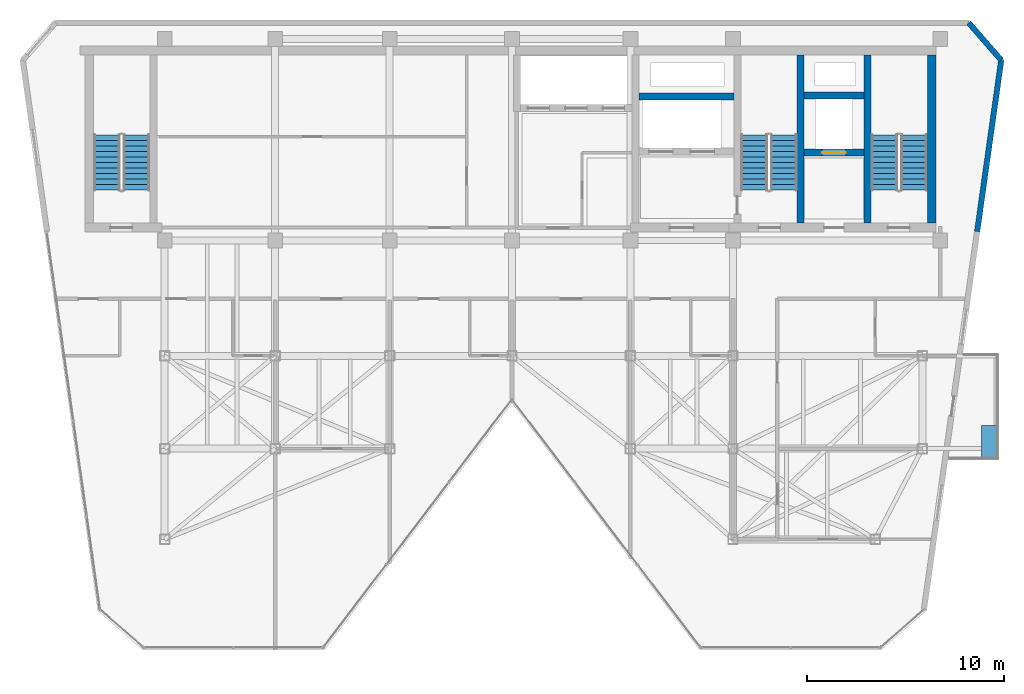
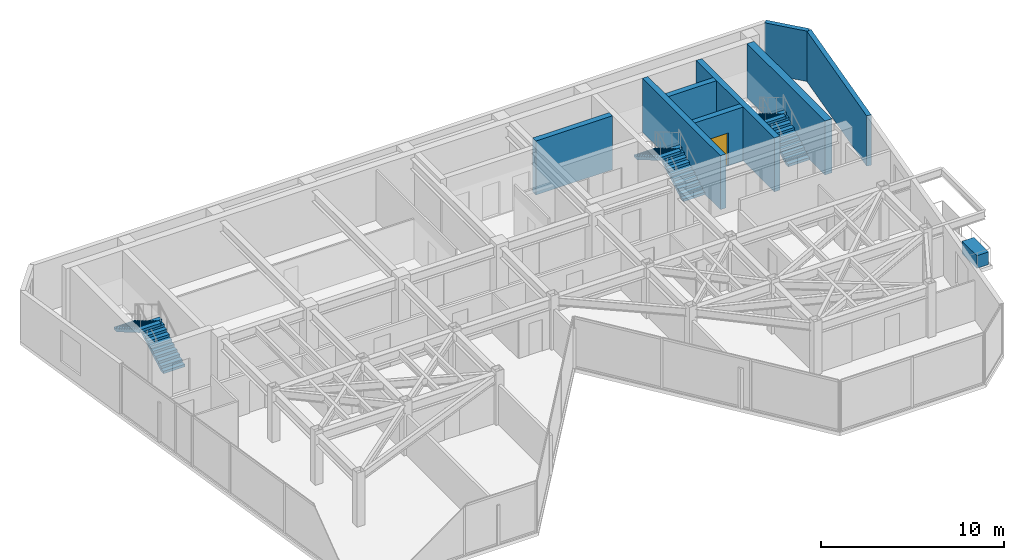
# One storey, part 18 of 20: 8 walls, 6 stair flights, 1 discrete accessory, 1 door, 1 opening, 3 elements without a shape of their own.
"""IFC4 building model written with IfcOpenShell, lengths in metres."""

from ifc_helpers import new_model, si_unit, direction, frame, frame_2d, origin, origin_2d, place, context, subcontext, project, spatial, polyline, rectangle, outline, extrude, material, layer, layer_set, type_object, element, fill, aggregate, save


model = new_model("IFC4")

# Units and contexts
model_context = context("Model", 3, precision=1e-05, world=origin(), true_north=direction((0.0, 1.0)))
body_context = subcontext(model_context, "Body", "Model", "MODEL_VIEW")
ifc_project = project(units=[si_unit("LENGTHUNIT", "METRE"), si_unit("AREAUNIT", "SQUARE_METRE"), si_unit("VOLUMEUNIT", "CUBIC_METRE"), si_unit("PLANEANGLEUNIT", "RADIAN"), si_unit("MASSUNIT", "GRAM", prefix="KILO")], contexts=[model_context])

# Site, building, storey
site_placement = place(None, origin())
site = spatial("IfcSite", under=ifc_project, at=site_placement, CompositionType="ELEMENT")
building_placement = place(site_placement, origin())
building = spatial("IfcBuilding", under=site, at=building_placement, Name="Kravanh Interchange Tower", CompositionType="ELEMENT")
storey_placement = place(building_placement, frame((0.0, 0.0, 234.60009765625)))
storey = spatial("IfcBuildingStorey", under=building, at=storey_placement, Name="L56", CompositionType="ELEMENT", Elevation=234.60009765625)

# Walls
ifc_material_1 = material(Name="Concrete C60/75", Category="concrete")
ifc_layer_1 = layer(ifc_material_1, 0.35009765625)
ifc_layer_set_1 = layer_set([ifc_layer_1], Name="Core Shear Wall Concrete C60/75 350mm")
wall_type_1 = type_object("IfcWallType", Name="Core Shear Wall Concrete C60/75 350mm", PredefinedType="SHEAR", material=ifc_layer_set_1)
for number, where, z_axis, x_axis, name in (
    (1, (62.824951171875, 38.22509765625, 0.0), (0.0, 0.0, 1.0), (0.0, 1.0, 0.0), "L56 Stair ST1 West Shear Wall"),
    (2, (59.425048828125, 38.22509765625, 0.0), (0.0, 0.0, 1.0), (0.0, 1.0, 0.0), "L56 Stair ST2 East Shear Wall"),
):
    element("IfcWall", number, at=place(storey_placement, frame(where, z_axis=z_axis, x_axis=x_axis)), inside=storey, type_object=wall_type_1, Name=name, PredefinedType="SHEAR", context=body_context, shape_type="SweptSolid", body=[
        extrude(rectangle(XDim=8.52490234375, YDim=0.35009765625, at=frame_2d((4.262451171875, 0.0))), origin(), (0.0, 0.0, 1.0), 3.599853515625),
    ])

# Wall, opening, door
wall_1_placement = place(storey_placement, frame((59.60009765625, 41.800048828125, 0.0), z_axis=(0.0, 0.0, 1.0), x_axis=(1.0, 0.0, 0.0)))
wall_1 = element("IfcWall", 3, at=wall_1_placement, inside=storey, type_object=wall_type_1, Name="L56 Service Lift Shaft South Wall", PredefinedType="SHEAR", context=body_context, shape_type="SweptSolid", body=[
    extrude(rectangle(XDim=3.0498046875, YDim=0.35009765625, at=frame_2d((1.52490234375, 0.0))), origin(), (0.0, 0.0, 1.0), 3.599853515625),
])
opening_placement = place(wall_1_placement, frame((0.919921875, 0.0, 0.0)))
opening = element("IfcOpeningElement", 4, at=opening_placement, cuts=wall_1, Name="Opening LD02", PredefinedType="OPENING", context=body_context, shape_type="SweptSolid", body=[
    extrude(rectangle(XDim=1.199951171875, YDim=2.199951171875, at=frame_2d((0.60009765625, 1.10009765625))), frame((0.0, 0.18505859375, 0.0), z_axis=(0.0, -1.0, 0.0), x_axis=(1.0, 0.0, 0.0)), (0.0, 0.0, 1.0), 0.3701171875),
])
ifc_material_2 = material(Name="Stainless Steel 316", Category="steel")
door_type = type_object("IfcDoorType", Name="Fire and Service Lift Sliding Landing Door 1200x2200", OperationType="DOUBLE_DOOR_SLIDING", PredefinedType="DOOR", material=ifc_material_2)
door_placement = place(opening_placement, origin())
door = element("IfcDoor", 5, at=door_placement, inside=storey, type_object=door_type, Name="L56 Lift LS-01 Landing Door", OperationType="DOUBLE_DOOR_SLIDING", OverallHeight=2.199951171875, OverallWidth=1.199951171875, PredefinedType="DOOR", context=body_context, shape_type="SweptSolid", body=[
    extrude(rectangle(XDim=1.199951171875, YDim=2.199951171875, at=frame_2d((0.60009765625, 1.10009765625))), frame((0.0, 0.02490234375, 0.0), z_axis=(0.0, -1.0, 0.0), x_axis=(1.0, 0.0, 0.0)), (0.0, 0.0, 1.0), 0.050048828125),
])
fill(opening, door)

# Walls
wall_2_placement = place(storey_placement, frame((59.60009765625, 44.699951171875, 0.0), z_axis=(0.0, 0.0, 1.0), x_axis=(1.0, 0.0, 0.0)))
element("IfcWall", 6, at=wall_2_placement, inside=storey, type_object=wall_type_1, Name="L56 Service Lift Shaft North Wall", PredefinedType="SHEAR", context=body_context, shape_type="SweptSolid", body=[
    extrude(rectangle(XDim=3.0498046875, YDim=0.35009765625, at=frame_2d((1.52490234375, 0.0))), origin(), (0.0, 0.0, 1.0), 3.599853515625),
])
wall_3_placement = place(storey_placement, frame((51.22509765625, 44.64990234375, 0.0), z_axis=(0.0, 0.0, 1.0), x_axis=(1.0, 0.0, 0.0)))
element("IfcWall", 7, at=wall_3_placement, inside=storey, type_object=wall_type_1, Name="L56 Fire Lift Shaft North Wall", PredefinedType="SHEAR", context=body_context, shape_type="SweptSolid", body=[
    extrude(rectangle(XDim=4.824951171875, YDim=0.35009765625, at=frame_2d((2.41259765625, 0.0))), origin(), (0.0, 0.0, 1.0), 3.599853515625),
])
ifc_material_3 = material(Name="Concrete C60/75", Category="concrete")
ifc_layer_2 = layer(ifc_material_3, 0.449951171875)
ifc_layer_set_2 = layer_set([ifc_layer_2], Name="Core Shear Wall Concrete C60/75 450mm")
wall_type_2 = type_object("IfcWallType", Name="Core Shear Wall Concrete C60/75 450mm", PredefinedType="SHEAR", material=ifc_layer_set_2)
wall_4_placement = place(storey_placement, frame((66.074951171875, 38.22509765625, 0.0), z_axis=(0.0, 0.0, 1.0), x_axis=(0.0, 1.0, 0.0)))
element("IfcWall", 8, at=wall_4_placement, inside=storey, type_object=wall_type_2, Name="L56 Stair ST1 East Shear Wall", PredefinedType="SHEAR", context=body_context, shape_type="SweptSolid", body=[
    extrude(rectangle(XDim=8.52490234375, YDim=0.449951171875, at=frame_2d((4.262451171875, 0.0))), origin(), (0.0, 0.0, 1.0), 3.599853515625),
])
ifc_material_4 = material(Name="Insulated Precast Concrete C40/50 with Bronze Cladding", Category="concrete")
ifc_layer_3 = layer(ifc_material_4, 0.280029296875)
ifc_layer_set_3 = layer_set([ifc_layer_3], Name="Exterior Insulated Concrete C40/50 Bronze Spandrel Wall 280mm")
wall_type_3 = type_object("IfcWallType", Name="Exterior Insulated Concrete C40/50 Bronze Spandrel Wall 280mm", PredefinedType="STANDARD", material=ifc_layer_set_3)
wall_5_placement = place(storey_placement, frame((67.9453125, 48.3798828125, 0.0), z_axis=(0.0, 0.0, 1.0), x_axis=(0.656068147197, -0.75470165379, 0.0)))
element("IfcWall", 9, at=wall_5_placement, inside=storey, type_object=wall_type_3, Name="L56 Exterior Wall 4", PredefinedType="STANDARD", context=body_context, shape_type="SweptSolid", body=[
    extrude(rectangle(XDim=2.514892578125, YDim=0.280029296875, at=frame_2d((1.25732421875, 0.0))), origin(), (0.0, 0.0, 1.0), 3.35986328125),
])
wall_6_placement = place(storey_placement, frame((69.59521484375, 46.48193359375, 0.0), z_axis=(0.0, 0.0, 1.0), x_axis=(-0.139179310088, -0.990267196086, 0.0)))
element("IfcWall", 10, at=wall_6_placement, inside=storey, type_object=wall_type_3, Name="L56 Exterior Wall 5", PredefinedType="STANDARD", context=body_context, shape_type="SweptSolid", body=[
    extrude(rectangle(XDim=8.767333984375, YDim=0.280029296875, at=frame_2d((4.3837890625, 0.0))), origin(), (0.0, 0.0, 1.0), 3.35986328125),
])

# Stair, stair flights
ifc_material_5 = material(Name="Concrete C50/60", Category="concrete")
stair_type = type_object("IfcStairType", Name="Core Fire Exit Dogleg Stair Concrete C50/60", PredefinedType="HALF_TURN_STAIR", material=ifc_material_5)
stair_1_placement = place(storey_placement, origin())
stair_1 = element("IfcStair", 11, at=stair_1_placement, inside=storey, type_object=stair_type, Name="L56 Exit Stair ST1", PredefinedType="HALF_TURN_STAIR")
ifc_material_6 = material(Name="Precast Concrete C50/60", Category="concrete")
ifc_layer_4 = layer(ifc_material_6, 0.199951171875)
ifc_layer_set_4 = layer_set([ifc_layer_4], Name="Precast Concrete C50/60 Stair Flight 1350mm")
stair_flight_type = type_object("IfcStairFlightType", Name="Precast Concrete C50/60 Stair Flight 1350mm", PredefinedType="STRAIGHT", material=ifc_layer_set_4)
stair_flight_1_placement = place(storey_placement, frame((65.175048828125, 39.89990234375, 0.0), z_axis=(0.0, 0.0, 1.0), x_axis=(0.0, 1.0, 0.0)))
stair_flight_1 = element("IfcStairFlight", 12, at=stair_flight_1_placement, type_object=stair_flight_type, Name="ST1 flight 1", NumberOfRisers=11, NumberOfTreads=10, PredefinedType="STRAIGHT", RiserHeight=0.163636364, TreadLength=0.28, context=body_context, shape_type="SweptSolid", body=[
    extrude(outline(polyline([(0.0, 0.0), (0.0, 0.16357421875), (0.280029296875, 0.16357421875), (0.280029296875, 0.327392578125), (0.56005859375, 0.327392578125), (0.56005859375, 0.490966796875), (0.840087890625, 0.490966796875), (0.840087890625, 0.654541015625), (1.1201171875, 0.654541015625), (1.1201171875, 0.818115234375), (1.39990234375, 0.818115234375), (1.39990234375, 0.98193359375), (1.679931640625, 0.98193359375), (1.679931640625, 1.1455078125), (1.9599609375, 1.1455078125), (1.9599609375, 1.30908203125), (2.239990234375, 1.30908203125), (2.239990234375, 1.47265625), (2.52001953125, 1.47265625), (2.52001953125, 1.636474609375), (2.800048828125, 1.636474609375), (2.800048828125, 1.800048828125), (2.800048828125, 1.462646484375), (0.297119140625, 0.0), (0.0, 0.0)])), frame((0.0, 0.675048828125, 0.0), z_axis=(0.0, -1.0, 0.0), x_axis=(1.0, 0.0, 0.0)), (0.0, 0.0, 1.0), 1.35009765625),
])
stair_flight_2_placement = place(storey_placement, frame((63.675048828125, 42.699951171875, 1.7998046875), z_axis=(0.0, 0.0, 1.0), x_axis=(0.0, -1.0, 0.0)))
stair_flight_2 = element("IfcStairFlight", 13, at=stair_flight_2_placement, type_object=stair_flight_type, Name="ST1 flight 2", NumberOfRisers=11, NumberOfTreads=10, PredefinedType="STRAIGHT", RiserHeight=0.163636364, TreadLength=0.28, context=body_context, shape_type="SweptSolid", body=[
    extrude(outline(polyline([(0.0, 0.0), (0.0, 0.16357421875), (0.280029296875, 0.16357421875), (0.280029296875, 0.327392578125), (0.56005859375, 0.327392578125), (0.56005859375, 0.490966796875), (0.840087890625, 0.490966796875), (0.840087890625, 0.654541015625), (1.1201171875, 0.654541015625), (1.1201171875, 0.818115234375), (1.39990234375, 0.818115234375), (1.39990234375, 0.98193359375), (1.679931640625, 0.98193359375), (1.679931640625, 1.1455078125), (1.9599609375, 1.1455078125), (1.9599609375, 1.30908203125), (2.239990234375, 1.30908203125), (2.239990234375, 1.47265625), (2.52001953125, 1.47265625), (2.52001953125, 1.636474609375), (2.800048828125, 1.636474609375), (2.800048828125, 1.800048828125), (2.800048828125, 1.462646484375), (0.297119140625, 0.0), (0.0, 0.0)])), frame((0.0, 0.675048828125, 0.0), z_axis=(0.0, -1.0, 0.0), x_axis=(1.0, 0.0, 0.0)), (0.0, 0.0, 1.0), 1.35009765625),
])
aggregate(stair_1, [stair_flight_1, stair_flight_2])

stair_2_placement = place(storey_placement, origin())
stair_2 = element("IfcStair", 14, at=stair_2_placement, inside=storey, type_object=stair_type, Name="L56 Exit Stair ST2", PredefinedType="HALF_TURN_STAIR")
stair_flight_3_placement = place(storey_placement, frame((58.574951171875, 39.89990234375, 0.0), z_axis=(0.0, 0.0, 1.0), x_axis=(0.0, 1.0, 0.0)))
stair_flight_3 = element("IfcStairFlight", 15, at=stair_flight_3_placement, type_object=stair_flight_type, Name="ST2 flight 1", NumberOfRisers=11, NumberOfTreads=10, PredefinedType="STRAIGHT", RiserHeight=0.163636364, TreadLength=0.28, context=body_context, shape_type="SweptSolid", body=[
    extrude(outline(polyline([(0.0, 0.0), (0.0, 0.16357421875), (0.280029296875, 0.16357421875), (0.280029296875, 0.327392578125), (0.56005859375, 0.327392578125), (0.56005859375, 0.490966796875), (0.840087890625, 0.490966796875), (0.840087890625, 0.654541015625), (1.1201171875, 0.654541015625), (1.1201171875, 0.818115234375), (1.39990234375, 0.818115234375), (1.39990234375, 0.98193359375), (1.679931640625, 0.98193359375), (1.679931640625, 1.1455078125), (1.9599609375, 1.1455078125), (1.9599609375, 1.30908203125), (2.239990234375, 1.30908203125), (2.239990234375, 1.47265625), (2.52001953125, 1.47265625), (2.52001953125, 1.636474609375), (2.800048828125, 1.636474609375), (2.800048828125, 1.800048828125), (2.800048828125, 1.462646484375), (0.297119140625, 0.0), (0.0, 0.0)])), frame((0.0, 0.675048828125, 0.0), z_axis=(0.0, -1.0, 0.0), x_axis=(1.0, 0.0, 0.0)), (0.0, 0.0, 1.0), 1.35009765625),
])
stair_flight_4_placement = place(storey_placement, frame((57.074951171875, 42.699951171875, 1.7998046875), z_axis=(0.0, 0.0, 1.0), x_axis=(0.0, -1.0, 0.0)))
stair_flight_4 = element("IfcStairFlight", 16, at=stair_flight_4_placement, type_object=stair_flight_type, Name="ST2 flight 2", NumberOfRisers=11, NumberOfTreads=10, PredefinedType="STRAIGHT", RiserHeight=0.163636364, TreadLength=0.28, context=body_context, shape_type="SweptSolid", body=[
    extrude(outline(polyline([(0.0, 0.0), (0.0, 0.16357421875), (0.280029296875, 0.16357421875), (0.280029296875, 0.327392578125), (0.56005859375, 0.327392578125), (0.56005859375, 0.490966796875), (0.840087890625, 0.490966796875), (0.840087890625, 0.654541015625), (1.1201171875, 0.654541015625), (1.1201171875, 0.818115234375), (1.39990234375, 0.818115234375), (1.39990234375, 0.98193359375), (1.679931640625, 0.98193359375), (1.679931640625, 1.1455078125), (1.9599609375, 1.1455078125), (1.9599609375, 1.30908203125), (2.239990234375, 1.30908203125), (2.239990234375, 1.47265625), (2.52001953125, 1.47265625), (2.52001953125, 1.636474609375), (2.800048828125, 1.636474609375), (2.800048828125, 1.800048828125), (2.800048828125, 1.462646484375), (0.297119140625, 0.0), (0.0, 0.0)])), frame((0.0, 0.675048828125, 0.0), z_axis=(0.0, -1.0, 0.0), x_axis=(1.0, 0.0, 0.0)), (0.0, 0.0, 1.0), 1.35009765625),
])
aggregate(stair_2, [stair_flight_3, stair_flight_4])

stair_3_placement = place(storey_placement, origin())
stair_3 = element("IfcStair", 17, at=stair_3_placement, inside=storey, type_object=stair_type, Name="L56 Exit Stair ST3", PredefinedType="HALF_TURN_STAIR")
stair_flight_5_placement = place(storey_placement, frame((25.77490234375, 39.89990234375, 0.0), z_axis=(0.0, 0.0, 1.0), x_axis=(0.0, 1.0, 0.0)))
stair_flight_5 = element("IfcStairFlight", 18, at=stair_flight_5_placement, type_object=stair_flight_type, Name="ST3 flight 1", NumberOfRisers=11, NumberOfTreads=10, PredefinedType="STRAIGHT", RiserHeight=0.163636364, TreadLength=0.28, context=body_context, shape_type="SweptSolid", body=[
    extrude(outline(polyline([(0.0, 0.0), (0.0, 0.16357421875), (0.280029296875, 0.16357421875), (0.280029296875, 0.327392578125), (0.56005859375, 0.327392578125), (0.56005859375, 0.490966796875), (0.840087890625, 0.490966796875), (0.840087890625, 0.654541015625), (1.1201171875, 0.654541015625), (1.1201171875, 0.818115234375), (1.39990234375, 0.818115234375), (1.39990234375, 0.98193359375), (1.679931640625, 0.98193359375), (1.679931640625, 1.1455078125), (1.9599609375, 1.1455078125), (1.9599609375, 1.30908203125), (2.239990234375, 1.30908203125), (2.239990234375, 1.47265625), (2.52001953125, 1.47265625), (2.52001953125, 1.636474609375), (2.800048828125, 1.636474609375), (2.800048828125, 1.800048828125), (2.800048828125, 1.462646484375), (0.297119140625, 0.0), (0.0, 0.0)])), frame((0.0, 0.675048828125, 0.0), z_axis=(0.0, -1.0, 0.0), x_axis=(1.0, 0.0, 0.0)), (0.0, 0.0, 1.0), 1.35009765625),
])
stair_flight_6_placement = place(storey_placement, frame((24.27490234375, 42.699951171875, 1.7998046875), z_axis=(0.0, 0.0, 1.0), x_axis=(0.0, -1.0, 0.0)))
stair_flight_6 = element("IfcStairFlight", 19, at=stair_flight_6_placement, type_object=stair_flight_type, Name="ST3 flight 2", NumberOfRisers=11, NumberOfTreads=10, PredefinedType="STRAIGHT", RiserHeight=0.163636364, TreadLength=0.28, context=body_context, shape_type="SweptSolid", body=[
    extrude(outline(polyline([(0.0, 0.0), (0.0, 0.16357421875), (0.280029296875, 0.16357421875), (0.280029296875, 0.327392578125), (0.56005859375, 0.327392578125), (0.56005859375, 0.490966796875), (0.840087890625, 0.490966796875), (0.840087890625, 0.654541015625), (1.1201171875, 0.654541015625), (1.1201171875, 0.818115234375), (1.39990234375, 0.818115234375), (1.39990234375, 0.98193359375), (1.679931640625, 0.98193359375), (1.679931640625, 1.1455078125), (1.9599609375, 1.1455078125), (1.9599609375, 1.30908203125), (2.239990234375, 1.30908203125), (2.239990234375, 1.47265625), (2.52001953125, 1.47265625), (2.52001953125, 1.636474609375), (2.800048828125, 1.636474609375), (2.800048828125, 1.800048828125), (2.800048828125, 1.462646484375), (0.297119140625, 0.0), (0.0, 0.0)])), frame((0.0, 0.675048828125, 0.0), z_axis=(0.0, -1.0, 0.0), x_axis=(1.0, 0.0, 0.0)), (0.0, 0.0, 1.0), 1.35009765625),
])
aggregate(stair_3, [stair_flight_5, stair_flight_6])

# Discrete accessory
ifc_material_7 = material(Name="Architectural GRC Concrete C40/50 with Root Barrier", Category="concrete")
discrete_accessory_type = type_object("IfcDiscreteAccessoryType", Name="Structural Balcony Tree Planter Box Concrete C40/50 1600x750x850", PredefinedType="USERDEFINED", material=ifc_material_7)
discrete_accessory_placement = place(storey_placement, frame((68.958984375, 27.179931640625, -0.000244140625), z_axis=(0.0, 0.0, 1.0), x_axis=(1.0, 0.0, 0.0)))
element("IfcDiscreteAccessory", 20, at=discrete_accessory_placement, inside=storey, type_object=discrete_accessory_type, Name="L56 E Balcony TREE PLANTER", ObjectType="PLANTER", PredefinedType="USERDEFINED", context=body_context, shape_type="SweptSolid", body=[
    extrude(rectangle(XDim=0.75, YDim=1.60009765625, at=origin_2d()), origin(), (0.0, 0.0, 1.0), 0.85009765625),
])

save(model, "model.ifc")
